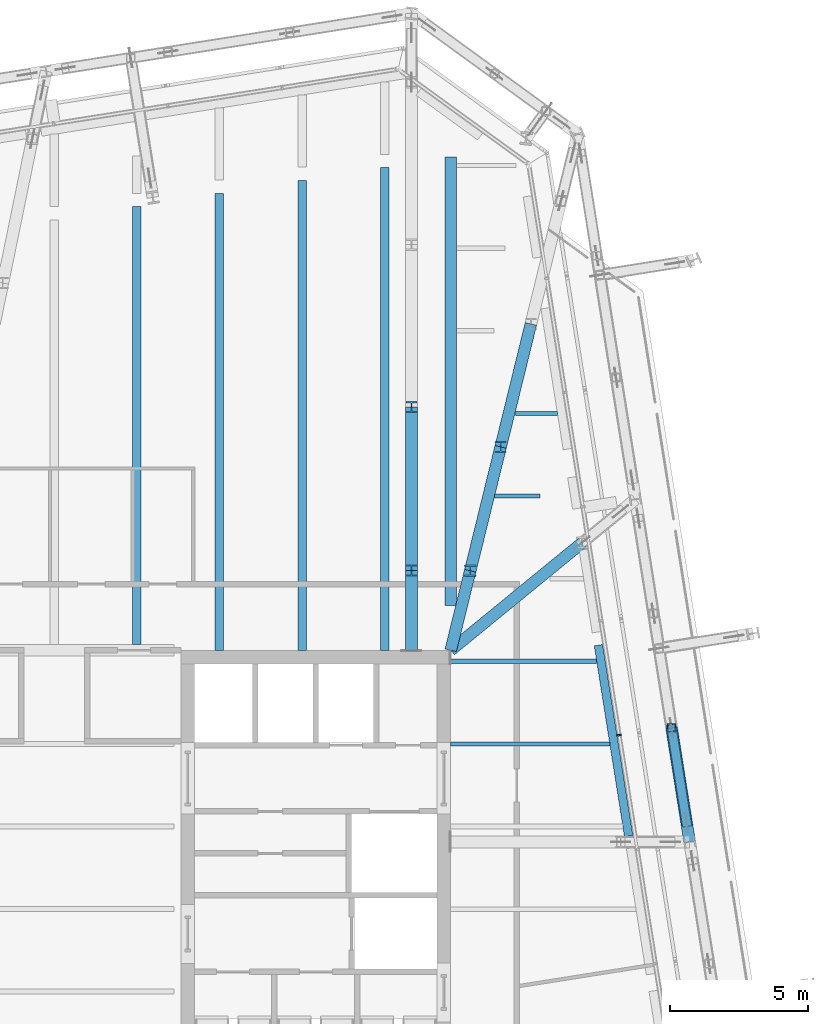
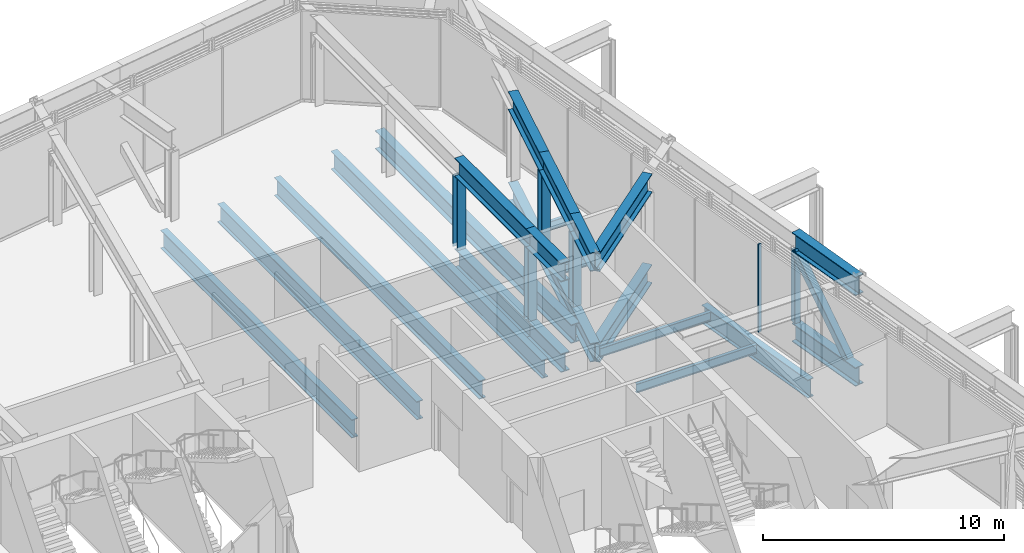
# One storey, part 16 of 35: 24 beams, 7 members, 1 element without a shape of its own.
"""IFC4 building model written with IfcOpenShell, lengths in metres."""

from ifc_helpers import new_model, si_unit, direction, frame, origin, origin_2d, place, context, subcontext, project, spatial, rectangle, hollow_rectangle, i_section, extrude, material, layer, layer_set, material_profile, profile_set, type_object, element, aggregate, save


model = new_model("IFC4")

# Units and contexts
model_context = context("Model", 3, precision=1e-05, world=origin(), true_north=direction((0.0, 1.0)))
body_context = subcontext(model_context, "Body", "Model", "MODEL_VIEW")
ifc_project = project(units=[si_unit("LENGTHUNIT", "METRE"), si_unit("AREAUNIT", "SQUARE_METRE"), si_unit("VOLUMEUNIT", "CUBIC_METRE"), si_unit("PLANEANGLEUNIT", "RADIAN"), si_unit("MASSUNIT", "GRAM", prefix="KILO")], contexts=[model_context])

# Site, building, storey
site_placement = place(None, origin())
site = spatial("IfcSite", under=ifc_project, at=site_placement, CompositionType="ELEMENT")
building_placement = place(site_placement, origin())
building = spatial("IfcBuilding", under=site, at=building_placement, Name="Millrace Tower", CompositionType="ELEMENT")
storey_placement = place(building_placement, frame((0.0, 0.0, 200.10009765625)))
storey = spatial("IfcBuildingStorey", under=building, at=storey_placement, Name="L45", CompositionType="ELEMENT", Elevation=200.10009765625)

# Curtain wall, member
ifc_material_1 = material(Name="Aluminium and glass", Category="aluminium")
ifc_layer = layer(ifc_material_1, 0.14990234375)
ifc_layer_set = layer_set([ifc_layer], Name="Aluminium and glass")
curtain_wall_type = type_object("IfcCurtainWallType", Name="CW-5 truss and plant storey louvred infill", PredefinedType="NOTDEFINED", material=ifc_layer_set)
curtain_wall_placement = place(storey_placement, origin())
curtain_wall = element("IfcCurtainWall", 1, at=curtain_wall_placement, inside=storey, type_object=curtain_wall_type, Name="Curtain wall D-F04 L45", PredefinedType="NOTDEFINED")
ifc_material_2 = material(Name="Aluminium", Category="aluminium")
ifc_material_profile_1 = material_profile(ifc_material_2, rectangle(XDim=0.06494140625, YDim=0.14990234375, at=origin_2d()))
ifc_profile_set_1 = profile_set([ifc_material_profile_1], Name="Aluminium")
member_type_1 = type_object("IfcMemberType", Name="CW-5 truss and plant storey louvred infill mullion", PredefinedType="MULLION", material=ifc_profile_set_1)
member_1_placement = place(storey_placement, frame((20.514404296875, 6.317626953125, 0.139892578125), z_axis=(0.0, 0.0, 1.0), x_axis=(-0.156434471884, 0.987688339511, 0.0)))
member_1 = element("IfcMember", 2, at=member_1_placement, type_object=member_type_1, Name="CW5 mullion D-F04.5", PredefinedType="MULLION", context=body_context, shape_type="SweptSolid", body=[
    extrude(rectangle(XDim=0.06494140625, YDim=0.14990234375, at=origin_2d()), origin(), (0.0, 0.0, 1.0), 4.4599609375),
])
aggregate(curtain_wall, [member_1])

# Beams
ifc_material_3 = material(Name="Steel ASTM A992 Grade 50", Category="steel")
ifc_material_profile_2 = material_profile(ifc_material_3, i_section(OverallWidth=0.15234375, OverallDepth=0.449462890625, WebThickness=0.007568359375, FlangeThickness=0.0107421875, FilletRadius=0.01025390625, at=origin_2d()))
ifc_profile_set_2 = profile_set([ifc_material_profile_2], Name="Steel ASTM A992 Grade 50")
beam_type_1 = type_object("IfcBeamType", Name="Floor beam W18x35", PredefinedType="JOIST", material=ifc_profile_set_2)
beam_1_placement = place(storey_placement, frame((14.39990234375, 6.0, -0.384765625), z_axis=(1.0, 0.0, 0.0), x_axis=(0.0, 1.0, 0.0)))
element("IfcBeam", 3, at=beam_1_placement, inside=storey, type_object=beam_type_1, Name="BM-D-L45-S1-S022", PredefinedType="JOIST", context=body_context, shape_type="SweptSolid", body=[
    extrude(i_section(OverallWidth=0.15234375, OverallDepth=0.449462890625, WebThickness=0.007568359375, FlangeThickness=0.0107421875, FilletRadius=0.01025390625, at=origin_2d()), origin(), (0.0, 0.0, 1.0), 5.777587890625),
])
beam_2_placement = place(storey_placement, frame((14.39990234375, 9.0, -0.384765625), z_axis=(1.0, 0.0, 0.0), x_axis=(0.0, 1.0, 0.0)))
element("IfcBeam", 4, at=beam_2_placement, inside=storey, type_object=beam_type_1, Name="BM-D-L45-S1-S024", PredefinedType="JOIST", context=body_context, shape_type="SweptSolid", body=[
    extrude(i_section(OverallWidth=0.15234375, OverallDepth=0.449462890625, WebThickness=0.007568359375, FlangeThickness=0.0107421875, FilletRadius=0.01025390625, at=origin_2d()), origin(), (0.0, 0.0, 1.0), 5.302490234375),
])
beam_3_placement = place(storey_placement, frame((16.75390625, 18.0, -0.384765625), z_axis=(1.0, 0.0, 0.0), x_axis=(0.0, 1.0, 0.0)))
element("IfcBeam", 5, at=beam_3_placement, inside=storey, type_object=beam_type_1, Name="BM-D-L45-S1-S030", PredefinedType="JOIST", context=body_context, shape_type="SweptSolid", body=[
    extrude(i_section(OverallWidth=0.15234375, OverallDepth=0.449462890625, WebThickness=0.007568359375, FlangeThickness=0.0107421875, FilletRadius=0.01025390625, at=origin_2d()), origin(), (0.0, 0.0, 1.0), 1.52294921875),
])
beam_4_placement = place(storey_placement, frame((15.994384765625, 15.0, -0.384765625), z_axis=(1.0, 0.0, 0.0), x_axis=(0.0, 1.0, 0.0)))
element("IfcBeam", 6, at=beam_4_placement, inside=storey, type_object=beam_type_1, Name="BM-D-L45-S1-S028", PredefinedType="JOIST", context=body_context, shape_type="SweptSolid", body=[
    extrude(i_section(OverallWidth=0.15234375, OverallDepth=0.449462890625, WebThickness=0.007568359375, FlangeThickness=0.0107421875, FilletRadius=0.01025390625, at=origin_2d()), origin(), (0.0, 0.0, 1.0), 1.653076171875),
])
ifc_material_4 = material(Name="Steel ASTM A992 Grade 50", Category="steel")
ifc_material_profile_3 = material_profile(ifc_material_4, i_section(OverallWidth=0.307373046875, OverallDepth=0.927001953125, WebThickness=0.01953125, FlangeThickness=0.031982421875, FilletRadius=0.01904296875, at=origin_2d()))
ifc_profile_set_3 = profile_set([ifc_material_profile_3], Name="Steel ASTM A992 Grade 50")
beam_type_2 = type_object("IfcBeamType", Name="Floor beam W36x194", PredefinedType="JOIST", material=ifc_profile_set_3)
beam_5_placement = place(storey_placement, frame((9.0, 9.39990234375, -0.62353515625), z_axis=(0.0, 1.0, 0.0), x_axis=(-1.0, 0.0, 0.0)))
element("IfcBeam", 7, at=beam_5_placement, inside=storey, type_object=beam_type_2, Name="BM-D-L45-S1-S050-a", PredefinedType="JOIST", context=body_context, shape_type="SweptSolid", body=[
    extrude(i_section(OverallWidth=0.307373046875, OverallDepth=0.927001953125, WebThickness=0.01953125, FlangeThickness=0.031982421875, FilletRadius=0.01904296875, at=origin_2d()), origin(), (0.0, 0.0, 1.0), 17.059814453125),
])
beam_6_placement = place(storey_placement, frame((12.0, 9.39990234375, -0.62353515625), z_axis=(0.0, 1.0, 0.0), x_axis=(-1.0, 0.0, 0.0)))
element("IfcBeam", 8, at=beam_6_placement, inside=storey, type_object=beam_type_2, Name="BM-D-L45-S1-S052-a", PredefinedType="JOIST", context=body_context, shape_type="SweptSolid", body=[
    extrude(i_section(OverallWidth=0.307373046875, OverallDepth=0.927001953125, WebThickness=0.01953125, FlangeThickness=0.031982421875, FilletRadius=0.01904296875, at=origin_2d()), origin(), (0.0, 0.0, 1.0), 17.534912109375),
])
beam_7_placement = place(storey_placement, frame((6.0, 9.39990234375, -0.62353515625), z_axis=(0.0, 1.0, 0.0), x_axis=(-1.0, 0.0, 0.0)))
element("IfcBeam", 9, at=beam_7_placement, inside=storey, type_object=beam_type_2, Name="BM-D-L45-S1-S048-a", PredefinedType="JOIST", context=body_context, shape_type="SweptSolid", body=[
    extrude(i_section(OverallWidth=0.307373046875, OverallDepth=0.927001953125, WebThickness=0.01953125, FlangeThickness=0.031982421875, FilletRadius=0.01904296875, at=origin_2d()), origin(), (0.0, 0.0, 1.0), 16.584716796875),
])
beam_8_placement = place(storey_placement, frame((3.0, 9.609619140625, -0.62353515625), z_axis=(0.0, 1.0, 0.0), x_axis=(-1.0, 0.0, 0.0)))
element("IfcBeam", 10, at=beam_8_placement, inside=storey, type_object=beam_type_2, Name="BM-D-L45-S1-S046-a", PredefinedType="JOIST", context=body_context, shape_type="SweptSolid", body=[
    extrude(i_section(OverallWidth=0.307373046875, OverallDepth=0.927001953125, WebThickness=0.01953125, FlangeThickness=0.031982421875, FilletRadius=0.01904296875, at=origin_2d()), origin(), (0.0, 0.0, 1.0), 15.899658203125),
])
ifc_material_5 = material(Name="Steel ASTM A992 Grade 50", Category="steel")
ifc_material_profile_4 = material_profile(ifc_material_5, i_section(OverallWidth=0.424072265625, OverallDepth=0.947509765625, WebThickness=0.02392578125, FlangeThickness=0.042724609375, FilletRadius=0.024169921875, at=origin_2d()))
ifc_profile_set_4 = profile_set([ifc_material_profile_4], Name="Steel ASTM A992 Grade 50")
beam_type_3 = type_object("IfcBeamType", Name="Girder medium span W36x302", PredefinedType="BEAM", material=ifc_profile_set_4)
beam_9_placement = place(storey_placement, frame((14.39990234375, 11.019287109375, -0.6337890625), z_axis=(0.0, 1.0, 0.0), x_axis=(-1.0, 0.0, 0.0)))
element("IfcBeam", 11, at=beam_9_placement, inside=storey, type_object=beam_type_3, Name="BM-D-L45-S1-G056", PredefinedType="BEAM", context=body_context, shape_type="SweptSolid", body=[
    extrude(i_section(OverallWidth=0.424072265625, OverallDepth=0.947509765625, WebThickness=0.02392578125, FlangeThickness=0.042724609375, FilletRadius=0.024169921875, at=origin_2d()), origin(), (0.0, 0.0, 1.0), 16.28857421875),
])
ifc_material_6 = material(Name="Steel ASTM A992 Grade 50", Category="steel")
ifc_material_profile_5 = material_profile(ifc_material_6, i_section(OverallWidth=0.307373046875, OverallDepth=0.927001953125, WebThickness=0.01953125, FlangeThickness=0.031982421875, FilletRadius=0.01904296875, at=origin_2d()))
ifc_profile_set_5 = profile_set([ifc_material_profile_5], Name="Steel ASTM A992 Grade 50")
beam_type_4 = type_object("IfcBeamType", Name="Ring beam short span W36x194", PredefinedType="SPANDREL", material=ifc_profile_set_5)
beam_10_placement = place(storey_placement, frame((19.765380859375, 9.58544921875, -0.62353515625), z_axis=(0.156403596031, -0.987693229271, 0.0), x_axis=(0.987693229271, 0.156403596031, 0.0)))
element("IfcBeam", 12, at=beam_10_placement, inside=storey, type_object=beam_type_4, Name="RNG-D-L45-S1-10-b", PredefinedType="SPANDREL", context=body_context, shape_type="SweptSolid", body=[
    extrude(i_section(OverallWidth=0.307373046875, OverallDepth=0.927001953125, WebThickness=0.01953125, FlangeThickness=0.031982421875, FilletRadius=0.01904296875, at=origin_2d()), origin(), (0.0, 0.0, 1.0), 7.021240234375),
])

# Members
ifc_material_7 = material(Name="Steel ASTM A992 Grade 50", Category="steel")
ifc_material_profile_6 = material_profile(ifc_material_7, i_section(OverallWidth=0.40380859375, OverallDepth=0.406494140625, WebThickness=0.027099609375, FlangeThickness=0.043701171875, FilletRadius=0.01513671875, at=origin_2d()))
ifc_profile_set_6 = profile_set([ifc_material_profile_6], Name="Steel ASTM A992 Grade 50")
member_type_2 = type_object("IfcMemberType", Name="Transfer truss Vierendeel moment post W14x233", PredefinedType="POST", material=ifc_profile_set_6)
for number, where, z_axis, x_axis, name in (
    (13, (16.21435546875, 16.784423828125, -0.16015625), (0.0, 0.0, 1.0), (1.0, 0.0, 0.0), "TRS-L45-C09-V03"),
    (14, (15.108642578125, 12.2841796875, -0.16015625), (0.0, 0.0, 1.0), (1.0, 0.0, 0.0), "TRS-L45-C09-V04"),
    (15, (12.974609375, 18.228515625, -0.16015625), (0.0, 0.0, 1.0), (1.0, 0.0, 0.0), "TRS-L45-C10-V03"),
    (16, (12.974609375, 12.300048828125, -0.16015625), (0.0, 0.0, 1.0), (1.0, 0.0, 0.0), "TRS-L45-C10-V04"),
):
    element("IfcMember", number, at=place(storey_placement, frame(where, z_axis=z_axis, x_axis=x_axis)), inside=storey, type_object=member_type_2, Name=name, PredefinedType="POST", context=body_context, shape_type="SweptSolid", body=[
        extrude(i_section(OverallWidth=0.40380859375, OverallDepth=0.406494140625, WebThickness=0.027099609375, FlangeThickness=0.043701171875, FilletRadius=0.01513671875, at=origin_2d()), origin(), (0.0, 0.0, 1.0), 3.652587890625),
    ])

# Beams
ifc_material_8 = material(Name="Steel ASTM A992 Grade 50", Category="steel")
ifc_material_profile_7 = material_profile(ifc_material_8, i_section(OverallWidth=0.424072265625, OverallDepth=0.947509765625, WebThickness=0.02392578125, FlangeThickness=0.042724609375, FilletRadius=0.024169921875, at=origin_2d()))
ifc_profile_set_7 = profile_set([ifc_material_profile_7], Name="Steel ASTM A992 Grade 50")
beam_type_5 = type_object("IfcBeamType", Name="Transfer truss chord W36x302", PredefinedType="BEAM", material=ifc_profile_set_7)
for number, where, z_axis, x_axis, name in (
    (17, (23.07763671875, 2.4384765625, -0.6337890625), (-0.156428225752, 0.987689328781, 0.0), (-0.987689328781, -0.156428225752, 0.0), "TRS-L45-R07-B01"),
    (18, (23.07763671875, 2.4384765625, 3.96630859375), (-0.156428225752, 0.987689328781, 0.0), (-0.987689328781, -0.156428225752, 0.0), "TRS-L45-R07-T01"),
):
    element("IfcBeam", number, at=place(storey_placement, frame(where, z_axis=z_axis, x_axis=x_axis)), inside=storey, type_object=beam_type_5, Name=name, PredefinedType="BEAM", context=body_context, shape_type="SweptSolid", body=[
        extrude(i_section(OverallWidth=0.424072265625, OverallDepth=0.947509765625, WebThickness=0.02392578125, FlangeThickness=0.042724609375, FilletRadius=0.024169921875, at=origin_2d()), origin(), (0.0, 0.0, 1.0), 4.199951171875),
    ])
for number, where, z_axis, x_axis, name in (
    (19, (19.171142578125, 13.30078125, -0.6337890625), (-0.774184934129, -0.632959467713, 0.0), (0.632959467713, -0.774184934129, 0.0), "TRS-L45-C08-B02"),
    (20, (19.171142578125, 13.30078125, 3.96630859375), (-0.774184934129, -0.632959467713, 0.0), (0.632959467713, -0.774184934129, 0.0), "TRS-L45-C08-T02"),
):
    element("IfcBeam", number, at=place(storey_placement, frame(where, z_axis=z_axis, x_axis=x_axis)), inside=storey, type_object=beam_type_5, Name=name, PredefinedType="BEAM", context=body_context, shape_type="SweptSolid", body=[
        extrude(i_section(OverallWidth=0.424072265625, OverallDepth=0.947509765625, WebThickness=0.02392578125, FlangeThickness=0.042724609375, FilletRadius=0.024169921875, at=origin_2d()), origin(), (0.0, 0.0, 1.0), 6.162841796875),
    ])
for number, where, z_axis, x_axis, name in (
    (21, (17.31201171875, 21.25146484375, -0.6337890625), (-0.238624844574, -0.971111828551, 0.0), (0.971111828551, -0.238624844574, 0.0), "TRS-L45-C09-B03"),
    (22, (17.31201171875, 21.25146484375, 3.96630859375), (-0.238624844574, -0.971111828551, 0.0), (0.971111828551, -0.238624844574, 0.0), "TRS-L45-C09-T03"),
):
    element("IfcBeam", number, at=place(storey_placement, frame(where, z_axis=z_axis, x_axis=x_axis)), inside=storey, type_object=beam_type_5, Name=name, PredefinedType="BEAM", context=body_context, shape_type="SweptSolid", body=[
        extrude(i_section(OverallWidth=0.424072265625, OverallDepth=0.947509765625, WebThickness=0.02392578125, FlangeThickness=0.042724609375, FilletRadius=0.024169921875, at=origin_2d()), origin(), (0.0, 0.0, 1.0), 4.599853515625),
    ])
for number, where, z_axis, x_axis, name in (
    (23, (16.21435546875, 16.784423828125, -0.6337890625), (-0.238604058118, -0.971116936033, 0.0), (0.971116936033, -0.238604058118, 0.0), "TRS-L45-C09-B04"),
    (24, (16.21435546875, 16.784423828125, 3.96630859375), (-0.238604058118, -0.971116936033, 0.0), (0.971116936033, -0.238604058118, 0.0), "TRS-L45-C09-T04"),
):
    element("IfcBeam", number, at=place(storey_placement, frame(where, z_axis=z_axis, x_axis=x_axis)), inside=storey, type_object=beam_type_5, Name=name, PredefinedType="BEAM", context=body_context, shape_type="SweptSolid", body=[
        extrude(i_section(OverallWidth=0.424072265625, OverallDepth=0.947509765625, WebThickness=0.02392578125, FlangeThickness=0.042724609375, FilletRadius=0.024169921875, at=origin_2d()), origin(), (0.0, 0.0, 1.0), 4.634033203125),
    ])
for number, where, z_axis, x_axis, name in (
    (25, (15.108642578125, 12.2841796875, -0.6337890625), (-0.238626738391, -0.971111363194, 0.0), (0.971111363194, -0.238626738391, 0.0), "TRS-L45-C09-B05"),
    (26, (15.108642578125, 12.2841796875, 3.96630859375), (-0.238626738391, -0.971111363194, 0.0), (0.971111363194, -0.238626738391, 0.0), "TRS-L45-C09-T05"),
):
    element("IfcBeam", number, at=place(storey_placement, frame(where, z_axis=z_axis, x_axis=x_axis)), inside=storey, type_object=beam_type_5, Name=name, PredefinedType="BEAM", context=body_context, shape_type="SweptSolid", body=[
        extrude(i_section(OverallWidth=0.424072265625, OverallDepth=0.947509765625, WebThickness=0.02392578125, FlangeThickness=0.042724609375, FilletRadius=0.024169921875, at=origin_2d()), origin(), (0.0, 0.0, 1.0), 2.969970703125),
    ])
for number, where, z_axis, x_axis, name in (
    (27, (12.974609375, 18.228515625, -0.6337890625), (0.0, -1.0, 0.0), (1.0, 0.0, 0.0), "TRS-L45-C10-B04"),
    (28, (12.974609375, 18.228515625, 3.96630859375), (0.0, -1.0, 0.0), (1.0, 0.0, 0.0), "TRS-L45-C10-T04"),
):
    element("IfcBeam", number, at=place(storey_placement, frame(where, z_axis=z_axis, x_axis=x_axis)), inside=storey, type_object=beam_type_5, Name=name, PredefinedType="BEAM", context=body_context, shape_type="SweptSolid", body=[
        extrude(i_section(OverallWidth=0.424072265625, OverallDepth=0.947509765625, WebThickness=0.02392578125, FlangeThickness=0.042724609375, FilletRadius=0.024169921875, at=origin_2d()), origin(), (0.0, 0.0, 1.0), 5.928466796875),
    ])
for number, where, z_axis, x_axis, name in (
    (29, (12.974609375, 12.300048828125, -0.6337890625), (0.0, -1.0, 0.0), (1.0, 0.0, 0.0), "TRS-L45-C10-B05"),
    (30, (12.974609375, 12.300048828125, 3.96630859375), (0.0, -1.0, 0.0), (1.0, 0.0, 0.0), "TRS-L45-C10-T05"),
):
    element("IfcBeam", number, at=place(storey_placement, frame(where, z_axis=z_axis, x_axis=x_axis)), inside=storey, type_object=beam_type_5, Name=name, PredefinedType="BEAM", context=body_context, shape_type="SweptSolid", body=[
        extrude(i_section(OverallWidth=0.424072265625, OverallDepth=0.947509765625, WebThickness=0.02392578125, FlangeThickness=0.042724609375, FilletRadius=0.024169921875, at=origin_2d()), origin(), (0.0, 0.0, 1.0), 2.900146484375),
    ])

# Members
ifc_material_9 = material(Name="Steel ASTM A500 Grade C", Category="steel")
ifc_material_profile_8 = material_profile(ifc_material_9, hollow_rectangle(XDim=0.355712890625, YDim=0.355712890625, WallThickness=0.015869140625, InnerFilletRadius=0.008056640625, OuterFilletRadius=0.02392578125, at=origin_2d()))
ifc_profile_set_8 = profile_set([ifc_material_profile_8], Name="Steel ASTM A500 Grade C")
member_type_3 = type_object("IfcMemberType", Name="Transfer truss diagonal HSS14x14x5/8", PredefinedType="BRACE", material=ifc_profile_set_8)
member_2_placement = place(storey_placement, frame((22.96826171875, 3.1298828125, -0.16015625), z_axis=(-0.108250191413, 0.683332349628, 0.722037946379), x_axis=(-0.987683654859, -0.156464046744, 0.0)))
element("IfcMember", 31, at=member_2_placement, inside=storey, type_object=member_type_3, Name="TRS-L45-R07-D01", PredefinedType="BRACE", context=body_context, shape_type="SweptSolid", body=[
    extrude(hollow_rectangle(XDim=0.355712890625, YDim=0.355712890625, WallThickness=0.015869140625, InnerFilletRadius=0.008056640625, OuterFilletRadius=0.02392578125, at=origin_2d()), origin(), (0.0, 0.0, 1.0), 5.058837890625),
])
ifc_material_10 = material(Name="Steel ASTM A500 Grade C", Category="steel")
ifc_material_profile_9 = material_profile(ifc_material_10, hollow_rectangle(XDim=0.3046875, YDim=0.3046875, WallThickness=0.0126953125, InnerFilletRadius=0.00634765625, OuterFilletRadius=0.01904296875, at=origin_2d()))
ifc_profile_set_9 = profile_set([ifc_material_profile_9], Name="Steel ASTM A500 Grade C")
member_type_4 = type_object("IfcMemberType", Name="Transfer truss post HSS12x12x1/2", PredefinedType="POST", material=ifc_profile_set_9)
member_3_placement = place(storey_placement, frame((22.420654296875, 6.586669921875, -0.16015625), z_axis=(0.0, 0.0, 1.0), x_axis=(1.0, 0.0, 0.0)))
element("IfcMember", 32, at=member_3_placement, inside=storey, type_object=member_type_4, Name="TRS-L45-R07-V01", PredefinedType="POST", context=body_context, shape_type="SweptSolid", body=[
    extrude(hollow_rectangle(XDim=0.3046875, YDim=0.3046875, WallThickness=0.0126953125, InnerFilletRadius=0.00634765625, OuterFilletRadius=0.01904296875, at=origin_2d()), origin(), (0.0, 0.0, 1.0), 3.652587890625),
])

save(model, "model.ifc")
